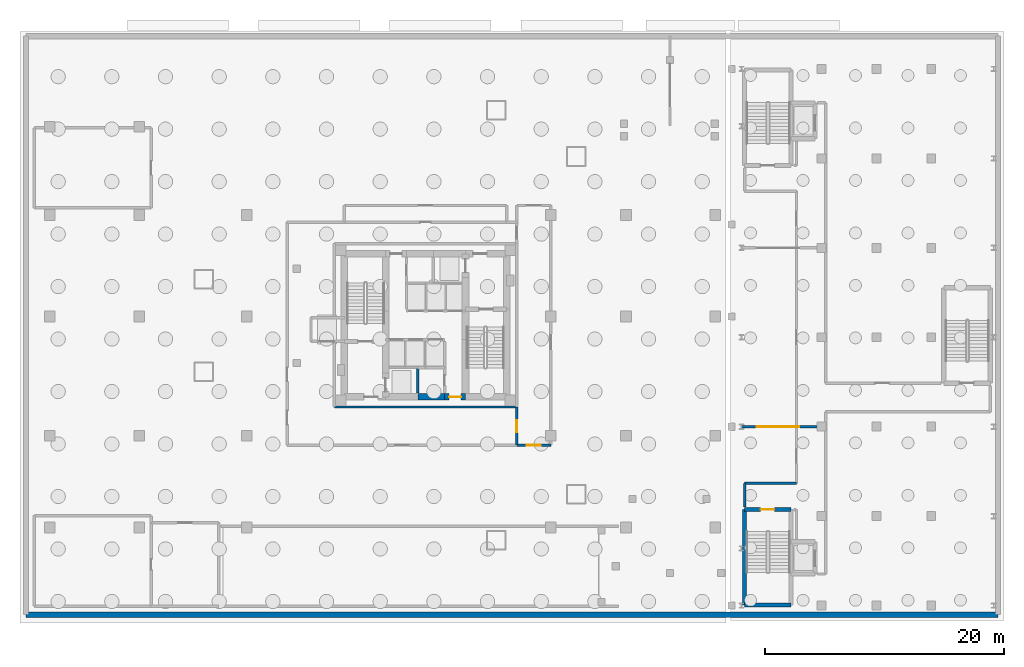
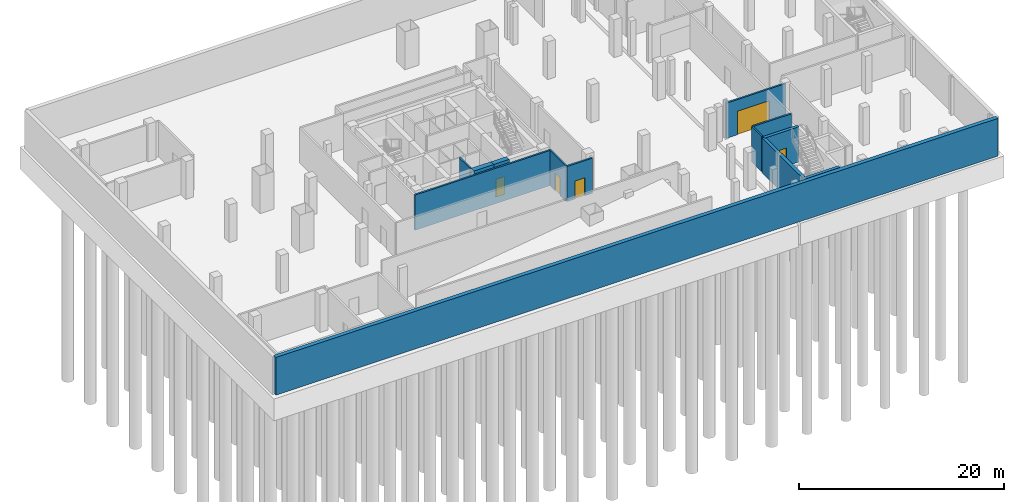
# One storey, part 7 of 15: 13 walls, 5 doors, 5 openings.
"""IFC4 building model written with IfcOpenShell, lengths in metres."""

from ifc_helpers import new_model, si_unit, direction, frame, frame_2d, origin, place, context, subcontext, project, spatial, rectangle, extrude, material, layer, layer_set, type_object, element, fill, save


model = new_model("IFC4")

# Units and contexts
model_context = context("Model", 3, precision=1e-05, world=origin(), true_north=direction((0.0, 1.0)))
body_context = subcontext(model_context, "Body", "Model", "MODEL_VIEW")
ifc_project = project(units=[si_unit("LENGTHUNIT", "METRE"), si_unit("AREAUNIT", "SQUARE_METRE"), si_unit("VOLUMEUNIT", "CUBIC_METRE"), si_unit("PLANEANGLEUNIT", "RADIAN"), si_unit("MASSUNIT", "GRAM", prefix="KILO")], contexts=[model_context])

# Site, building, storey
site_placement = place(None, origin())
site = spatial("IfcSite", under=ifc_project, at=site_placement, CompositionType="ELEMENT")
building_placement = place(site_placement, origin())
building = spatial("IfcBuilding", under=site, at=building_placement, Name="Mersakhor Tower and Convention Hall", CompositionType="ELEMENT")
storey_placement = place(building_placement, frame((0.0, 0.0, -9.0)))
storey = spatial("IfcBuildingStorey", under=building, at=storey_placement, Name="B02", CompositionType="ELEMENT", Elevation=-9.0)

# Wall, opening, door
ifc_material_1 = material(Name="Acoustic concrete blockwork and gypsum board", Category="masonry")
ifc_layer_1 = layer(ifc_material_1, 0.199951171875)
ifc_layer_set_1 = layer_set([ifc_layer_1], Name="Acoustic concrete blockwork and gypsum board")
wall_type_1 = type_object("IfcWallType", Name="WL-PRT-200", PredefinedType="PARTITIONING", material=ifc_layer_set_1)
wall_1_placement = place(storey_placement, frame((55.5, 18.25, 0.0), z_axis=(0.0, 0.0, 1.0), x_axis=(1.0, 0.0, 0.0)))
wall_1 = element("IfcWall", 1, at=wall_1_placement, inside=storey, type_object=wall_type_1, Name="B02 Basement Fire Compartment Wall FG-2", PredefinedType="PARTITIONING", context=body_context, shape_type="SweptSolid", body=[
    extrude(rectangle(XDim=6.699951171875, YDim=0.199951171875, at=frame_2d((3.35009765625, 0.0))), origin(), (0.0, 0.0, 1.0), 4.199951171875),
])
opening_1_placement = place(wall_1_placement, frame((1.25, 0.0, 0.0)))
opening_1 = element("IfcOpeningElement", 2, at=opening_1_placement, cuts=wall_1, Name="Opening GATE-03", PredefinedType="OPENING", context=body_context, shape_type="SweptSolid", body=[
    extrude(rectangle(XDim=3.60009765625, YDim=2.800048828125, at=frame_2d((1.800048828125, 1.39990234375))), frame((0.0, 0.10986328125, 0.0), z_axis=(0.0, -1.0, 0.0), x_axis=(1.0, 0.0, 0.0)), (0.0, 0.0, 1.0), 0.219970703125),
])
ifc_material_2 = material(Name="Thermally broken dark aluminium and safety glass", Category="aluminium")
door_type_1 = type_object("IfcDoorType", Name="DR-GATE-BSM-360x280", OperationType="NOTDEFINED", PredefinedType="GATE", material=ifc_material_2)
door_1_placement = place(opening_1_placement, origin())
door_1 = element("IfcDoor", 3, at=door_1_placement, inside=storey, type_object=door_type_1, Name="B02 Basement Compartment Fire Shutter Gate BG-2", OperationType="ROLLINGUP", OverallHeight=2.800048828125, OverallWidth=3.60009765625, PredefinedType="GATE", context=body_context, shape_type="SweptSolid", body=[
    extrude(rectangle(XDim=3.60009765625, YDim=2.800048828125, at=frame_2d((1.800048828125, 1.39990234375))), frame((0.0, 0.02490234375, 0.0), z_axis=(0.0, -1.0, 0.0), x_axis=(1.0, 0.0, 0.0)), (0.0, 0.0, 1.0), 0.050048828125),
])
fill(opening_1, door_1)

# Walls
wall_2_placement = place(storey_placement, frame((28.35009765625, 23.199951171875, 0.0), z_axis=(0.0, 0.0, 1.0), x_axis=(0.0, -1.0, 0.0)))
element("IfcWall", 4, at=wall_2_placement, inside=storey, type_object=wall_type_1, Name="B02 Interior Partition Wall P-003", PredefinedType="PARTITIONING", context=body_context, shape_type="SweptSolid", body=[
    extrude(rectangle(XDim=2.125, YDim=0.199951171875, at=frame_2d((1.0625, 0.0))), origin(), (0.0, 0.0, 1.0), 4.199951171875),
])
wall_3_placement = place(storey_placement, frame((21.35009765625, 19.89990234375, 0.0), z_axis=(0.0, 0.0, 1.0), x_axis=(1.0, 0.0, 0.0)))
element("IfcWall", 5, at=wall_3_placement, inside=storey, type_object=wall_type_1, Name="B02 Interior Partition Wall P-027", PredefinedType="PARTITIONING", context=body_context, shape_type="SweptSolid", body=[
    extrude(rectangle(XDim=15.2998046875, YDim=0.199951171875, at=frame_2d((7.64990234375, 0.0))), origin(), (0.0, 0.0, 1.0), 4.199951171875),
])

# Wall, opening, door
wall_4_placement = place(storey_placement, frame((36.64990234375, 19.89990234375, 0.0), z_axis=(0.0, 0.0, 1.0), x_axis=(0.0, -1.0, 0.0)))
wall_4 = element("IfcWall", 6, at=wall_4_placement, inside=storey, type_object=wall_type_1, Name="B02 Interior Partition Wall P-028", PredefinedType="PARTITIONING", context=body_context, shape_type="SweptSolid", body=[
    extrude(rectangle(XDim=3.199951171875, YDim=0.199951171875, at=frame_2d((1.60009765625, 0.0))), origin(), (0.0, 0.0, 1.0), 4.199951171875),
])
opening_2_placement = place(wall_4_placement, frame((1.10009765625, 0.0, 0.0)))
opening_2 = element("IfcOpeningElement", 7, at=opening_2_placement, cuts=wall_4, Name="Opening FD-01", PredefinedType="OPENING", context=body_context, shape_type="SweptSolid", body=[
    extrude(rectangle(XDim=1.0, YDim=2.14990234375, at=frame_2d((0.5, 1.074951171875))), frame((0.0, 0.10986328125, 0.0), z_axis=(0.0, -1.0, 0.0), x_axis=(1.0, 0.0, 0.0)), (0.0, 0.0, 1.0), 0.219970703125),
])
ifc_material_3 = material(Name="Fire-rated hardwood leaf and painted steel frame", Category="steel")
door_type_2 = type_object("IfcDoorType", Name="DR-INT-FLT-100x215", OperationType="NOTDEFINED", PredefinedType="DOOR", material=ifc_material_3)
door_2_placement = place(opening_2_placement, origin())
door_2 = element("IfcDoor", 8, at=door_2_placement, inside=storey, type_object=door_type_2, Name="B02 Ring Corridor Fire Door", OperationType="SINGLE_SWING_LEFT", OverallHeight=2.14990234375, OverallWidth=1.0, PredefinedType="DOOR", context=body_context, shape_type="SweptSolid", body=[
    extrude(rectangle(XDim=1.0, YDim=2.14990234375, at=frame_2d((0.5, 1.074951171875))), frame((0.0, 0.02490234375, 0.0), z_axis=(0.0, -1.0, 0.0), x_axis=(1.0, 0.0, 0.0)), (0.0, 0.0, 1.0), 0.050048828125),
])
fill(opening_2, door_2)

wall_5_placement = place(storey_placement, frame((39.5, 16.699951171875, 0.0), z_axis=(0.0, 0.0, 1.0), x_axis=(-1.0, 0.0, 0.0)))
wall_5 = element("IfcWall", 9, at=wall_5_placement, inside=storey, type_object=wall_type_1, Name="B02 Interior Partition Wall P-031", PredefinedType="PARTITIONING", context=body_context, shape_type="SweptSolid", body=[
    extrude(rectangle(XDim=2.85009765625, YDim=0.199951171875, at=frame_2d((1.425048828125, 0.0))), origin(), (0.0, 0.0, 1.0), 4.199951171875),
])
opening_3_placement = place(wall_5_placement, frame((0.85009765625, 0.0, 0.0)))
opening_3 = element("IfcOpeningElement", 10, at=opening_3_placement, cuts=wall_5, Name="Opening SD-01", PredefinedType="OPENING", context=body_context, shape_type="SweptSolid", body=[
    extrude(rectangle(XDim=1.14990234375, YDim=2.14990234375, at=frame_2d((0.574951171875, 1.074951171875))), frame((0.0, 0.10986328125, 0.0), z_axis=(0.0, -1.0, 0.0), x_axis=(1.0, 0.0, 0.0)), (0.0, 0.0, 1.0), 0.219970703125),
])
ifc_material_4 = material(Name="Fire-rated hardwood leaf and painted steel frame", Category="steel")
door_type_3 = type_object("IfcDoorType", Name="DR-INT-STAIR-115x215", OperationType="NOTDEFINED", PredefinedType="DOOR", material=ifc_material_4)
door_3_placement = place(opening_3_placement, origin())
door_3 = element("IfcDoor", 11, at=door_3_placement, inside=storey, type_object=door_type_3, Name="B02 Basement Core Access Corridor East to Two-Way Basement Drive Aisle AISLE-S Door", OperationType="SINGLE_SWING_LEFT", OverallHeight=2.14990234375, OverallWidth=1.14990234375, PredefinedType="DOOR", context=body_context, shape_type="SweptSolid", body=[
    extrude(rectangle(XDim=1.14990234375, YDim=2.14990234375, at=frame_2d((0.574951171875, 1.074951171875))), frame((0.0, 0.02490234375, 0.0), z_axis=(0.0, -1.0, 0.0), x_axis=(1.0, 0.0, 0.0)), (0.0, 0.0, 1.0), 0.050048828125),
])
fill(opening_3, door_3)

# Walls
wall_6_placement = place(storey_placement, frame((55.75, 11.52490234375, 0.0), z_axis=(0.0, 0.0, 1.0), x_axis=(0.0, 1.0, 0.0)))
element("IfcWall", 12, at=wall_6_placement, inside=storey, type_object=wall_type_1, Name="B02 Interior Partition Wall P-048", PredefinedType="PARTITIONING", context=body_context, shape_type="SweptSolid", body=[
    extrude(rectangle(XDim=1.97509765625, YDim=0.199951171875, at=frame_2d((0.987548828125, 0.0))), origin(), (0.0, 0.0, 1.0), 4.199951171875),
])
wall_7_placement = place(storey_placement, frame((55.75, 13.5, 0.0), z_axis=(0.0, 0.0, 1.0), x_axis=(1.0, 0.0, 0.0)))
element("IfcWall", 13, at=wall_7_placement, inside=storey, type_object=wall_type_1, Name="B02 Interior Partition Wall P-049", PredefinedType="PARTITIONING", context=body_context, shape_type="SweptSolid", body=[
    extrude(rectangle(XDim=4.35009765625, YDim=0.199951171875, at=frame_2d((2.175048828125, 0.0))), origin(), (0.0, 0.0, 1.0), 4.199951171875),
])
ifc_material_5 = material(Name="Concrete C45/55", Category="concrete")
ifc_layer_2 = layer(ifc_material_5, 0.449951171875)
ifc_layer_set_2 = layer_set([ifc_layer_2], Name="Concrete C45/55")
wall_type_2 = type_object("IfcWallType", Name="WL-RET-450", PredefinedType="USERDEFINED", material=ifc_layer_set_2)
wall_8_placement = place(storey_placement, frame((-4.5, 2.5, 0.0), z_axis=(0.0, 0.0, 1.0), x_axis=(1.0, 0.0, 0.0)))
element("IfcWall", 14, at=wall_8_placement, inside=storey, type_object=wall_type_2, Name="B02 Perimeter Retaining Wall S", ObjectType="RETAININGWALL", PredefinedType="USERDEFINED", context=body_context, shape_type="SweptSolid", body=[
    extrude(rectangle(XDim=81.5, YDim=0.449951171875, at=frame_2d((40.75, 0.0))), origin(), (0.0, 0.0, 1.0), 4.5),
])
ifc_material_6 = material(Name="Concrete C50/60", Category="concrete")
ifc_layer_3 = layer(ifc_material_6, 0.35009765625)
ifc_layer_set_3 = layer_set([ifc_layer_3], Name="Concrete C50/60")
wall_type_3 = type_object("IfcWallType", Name="WL-SHR-350", PredefinedType="SHEAR", material=ifc_layer_set_3)
wall_9_placement = place(storey_placement, frame((55.75, 3.300048828125, 0.0), z_axis=(0.0, 0.0, 1.0), x_axis=(0.0, 1.0, 0.0)))
element("IfcWall", 15, at=wall_9_placement, inside=storey, type_object=wall_type_3, Name="B02 CHST1 West Shear Wall", PredefinedType="SHEAR", context=body_context, shape_type="SweptSolid", body=[
    extrude(rectangle(XDim=8.0, YDim=0.35009765625, at=frame_2d((4.0, 0.0))), origin(), (0.0, 0.0, 1.0), 4.199951171875),
])

# Wall, opening, door
wall_10_placement = place(storey_placement, frame((55.75, 11.300048828125, 0.0), z_axis=(0.0, 0.0, 1.0), x_axis=(1.0, 0.0, 0.0)))
wall_10 = element("IfcWall", 16, at=wall_10_placement, inside=storey, type_object=wall_type_3, Name="B02 CHST1 North Shear Wall", PredefinedType="SHEAR", context=body_context, shape_type="SweptSolid", body=[
    extrude(rectangle(XDim=3.89990234375, YDim=0.35009765625, at=frame_2d((1.949951171875, 0.0))), origin(), (0.0, 0.0, 1.0), 4.199951171875),
])
opening_4_placement = place(wall_10_placement, frame((1.35009765625, 0.0, 0.0)))
opening_4 = element("IfcOpeningElement", 17, at=opening_4_placement, cuts=wall_10, Name="Opening SD-01", PredefinedType="OPENING", context=body_context, shape_type="SweptSolid", body=[
    extrude(rectangle(XDim=1.14990234375, YDim=2.14990234375, at=frame_2d((0.574951171875, 1.074951171875))), frame((0.0, 0.18505859375, 0.0), z_axis=(0.0, -1.0, 0.0), x_axis=(1.0, 0.0, 0.0)), (0.0, 0.0, 1.0), 0.3701171875),
])
door_4_placement = place(opening_4_placement, origin())
door_4 = element("IfcDoor", 18, at=door_4_placement, inside=storey, type_object=door_type_3, Name="B02 Convention Stair CH-ST1 Door", OperationType="SINGLE_SWING_LEFT", OverallHeight=2.14990234375, OverallWidth=1.14990234375, PredefinedType="DOOR", context=body_context, shape_type="SweptSolid", body=[
    extrude(rectangle(XDim=1.14990234375, YDim=2.14990234375, at=frame_2d((0.574951171875, 1.074951171875))), frame((0.0, 0.02490234375, 0.0), z_axis=(0.0, -1.0, 0.0), x_axis=(1.0, 0.0, 0.0)), (0.0, 0.0, 1.0), 0.050048828125),
])
fill(opening_4, door_4)

# Wall
wall_11_placement = place(storey_placement, frame((55.75, 3.300048828125, 0.0), z_axis=(0.0, 0.0, 1.0), x_axis=(1.0, 0.0, 0.0)))
element("IfcWall", 19, at=wall_11_placement, inside=storey, type_object=wall_type_3, Name="B02 CHST1 South Shear Wall", PredefinedType="SHEAR", context=body_context, shape_type="SweptSolid", body=[
    extrude(rectangle(XDim=3.89990234375, YDim=0.35009765625, at=frame_2d((1.949951171875, 0.0))), origin(), (0.0, 0.0, 1.0), 4.199951171875),
])

# Wall, opening, door
ifc_material_7 = material(Name="Concrete C70/85", Category="concrete")
ifc_layer_4 = layer(ifc_material_7, 0.550048828125)
ifc_layer_set_4 = layer_set([ifc_layer_4], Name="Concrete C70/85")
wall_type_4 = type_object("IfcWallType", Name="WL-SHR-550", PredefinedType="SHEAR", material=ifc_layer_set_4)
wall_12_placement = place(storey_placement, frame((32.35009765625, 20.75, 0.0), z_axis=(0.0, 0.0, 1.0), x_axis=(-1.0, 0.0, 0.0)))
wall_12 = element("IfcWall", 20, at=wall_12_placement, inside=storey, type_object=wall_type_4, Name="B02 Core Wall CW-S2A", PredefinedType="SHEAR", context=body_context, shape_type="SweptSolid", body=[
    extrude(rectangle(XDim=1.75, YDim=0.550048828125, at=frame_2d((0.875, 0.0))), origin(), (0.0, 0.0, 1.0), 4.199951171875),
])
opening_5_placement = place(wall_12_placement, frame((0.375, 0.0, 0.0)))
opening_5 = element("IfcOpeningElement", 21, at=opening_5_placement, cuts=wall_12, Name="Opening CFD-01", PredefinedType="OPENING", context=body_context, shape_type="SweptSolid", body=[
    extrude(rectangle(XDim=1.0, YDim=2.14990234375, at=frame_2d((0.5, 1.074951171875))), frame((0.0, 0.284912109375, 0.0), z_axis=(0.0, -1.0, 0.0), x_axis=(1.0, 0.0, 0.0)), (0.0, 0.0, 1.0), 0.570068359375),
])
ifc_material_8 = material(Name="Fire-rated hardwood leaf and painted steel frame", Category="steel")
door_type_4 = type_object("IfcDoorType", Name="DR-CORE-FD-100x215", OperationType="NOTDEFINED", PredefinedType="DOOR", material=ifc_material_8)
door_5_placement = place(opening_5_placement, origin())
door_5 = element("IfcDoor", 22, at=door_5_placement, inside=storey, type_object=door_type_4, Name="B02 Lift Lobby South Corridor Door", OperationType="SINGLE_SWING_RIGHT", OverallHeight=2.14990234375, OverallWidth=1.0, PredefinedType="DOOR", context=body_context, shape_type="SweptSolid", body=[
    extrude(rectangle(XDim=1.0, YDim=2.14990234375, at=frame_2d((0.5, 1.074951171875))), frame((0.0, 0.02490234375, 0.0), z_axis=(0.0, -1.0, 0.0), x_axis=(1.0, 0.0, 0.0)), (0.0, 0.0, 1.0), 0.050048828125),
])
fill(opening_5, door_5)

# Wall
wall_13_placement = place(storey_placement, frame((30.60009765625, 20.75, 0.0), z_axis=(0.0, 0.0, 1.0), x_axis=(-1.0, 0.0, 0.0)))
element("IfcWall", 23, at=wall_13_placement, inside=storey, type_object=wall_type_4, Name="B02 Core Wall CW-S2B", PredefinedType="SHEAR", context=body_context, shape_type="SweptSolid", body=[
    extrude(rectangle(XDim=2.25, YDim=0.550048828125, at=frame_2d((1.125, 0.0))), origin(), (0.0, 0.0, 1.0), 4.199951171875),
])

save(model, "model.ifc")
